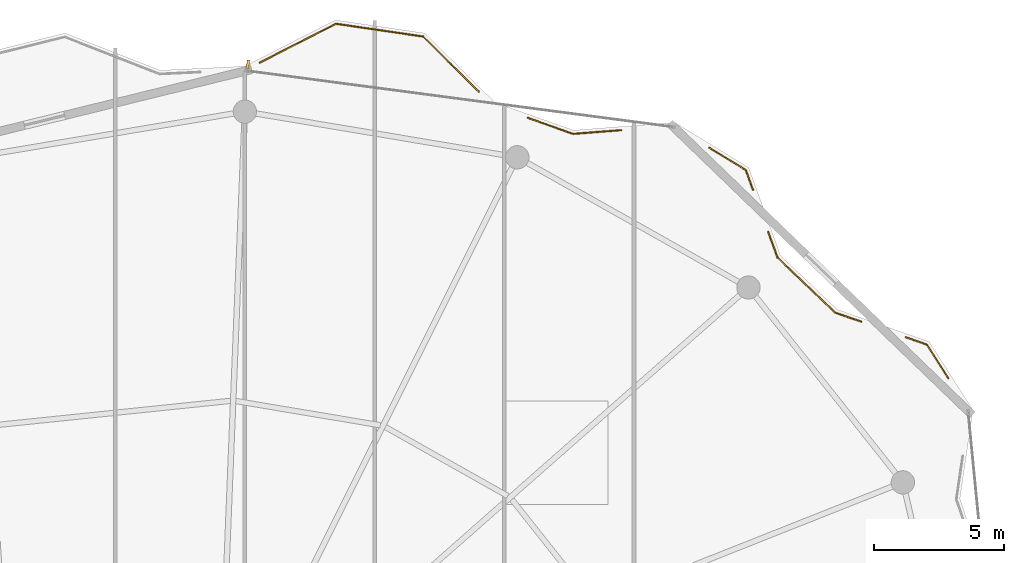
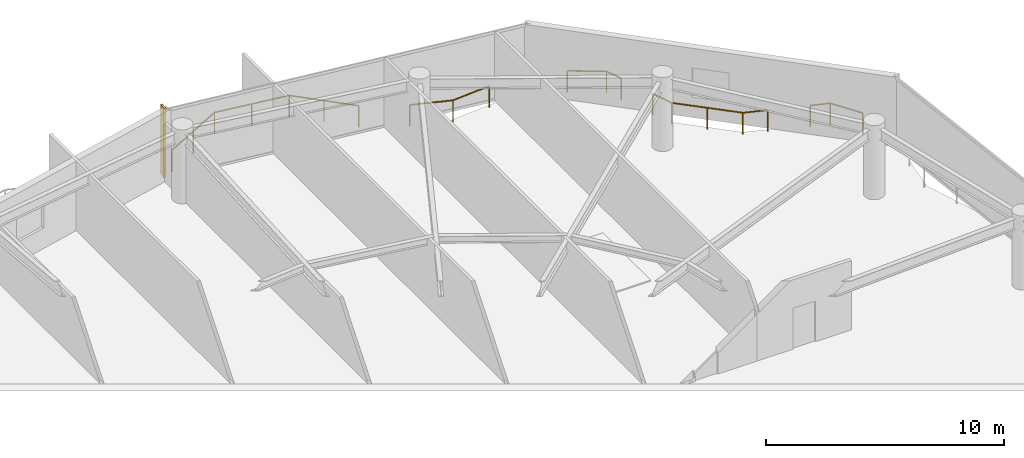
# One storey, part 30 of 30: 5 railings, 1 shading device.
"""IFC4 building model written with IfcOpenShell, lengths in metres."""

from ifc_helpers import new_model, si_unit, direction, frame, origin, origin_2d, place, context, subcontext, project, spatial, rectangle, extrude, material, type_object, element, save


model = new_model("IFC4")

# Units and contexts
model_context = context("Model", 3, precision=1e-05, world=origin(), true_north=direction((0.0, 1.0)))
body_context = subcontext(model_context, "Body", "Model", "MODEL_VIEW")
ifc_project = project(units=[si_unit("LENGTHUNIT", "METRE"), si_unit("AREAUNIT", "SQUARE_METRE"), si_unit("VOLUMEUNIT", "CUBIC_METRE"), si_unit("PLANEANGLEUNIT", "RADIAN"), si_unit("MASSUNIT", "GRAM", prefix="KILO")], contexts=[model_context])

# Site, building, storey
site_placement = place(None, origin())
site = spatial("IfcSite", under=ifc_project, at=site_placement, CompositionType="ELEMENT")
building_placement = place(site_placement, origin())
building = spatial("IfcBuilding", under=site, at=building_placement, Name="Kazevale Care Tower and Concert Hall", CompositionType="ELEMENT")
storey_placement = place(building_placement, frame((0.0, 0.0, 258.60009765625)))
storey = spatial("IfcBuildingStorey", under=building, at=storey_placement, Name="L68", CompositionType="ELEMENT", Elevation=258.60009765625)

# Railings
ifc_material_1 = material(Name="Anodised Bronze Aluminium and Laminated Glass", Category="aluminium")
railing_type = type_object("IfcRailingType", Name="Balcony and Terrace Balustrade 1120", PredefinedType="BALUSTRADE", material=ifc_material_1)
railing_1_placement = place(storey_placement, frame((45.573974609375, 63.035888671875, 0.0)))
element("IfcRailing", 1, at=railing_1_placement, inside=storey, type_object=railing_type, Name="rail:L68:perim:6", PredefinedType="BALUSTRADE", context=body_context, shape_type="SweptSolid", body=[
    extrude(rectangle(XDim=0.048095703125, YDim=0.048095703125, at=origin_2d()), frame((0.0, 0.0, 1.09619140625), z_axis=(0.890635876705, 0.454717203463, 0.0), x_axis=(-0.454717203463, 0.890635876705, 0.0)), (0.0, 0.0, 1.0), 3.298828125),
    extrude(rectangle(XDim=0.048095703125, YDim=0.048095703125, at=origin_2d()), frame((2.93798828125, 1.5, 1.09619140625), z_axis=(0.989455274638, -0.144838736155, 0.0), x_axis=(0.144838736155, 0.989455274638, 0.0)), (0.0, 0.0, 1.0), 3.3896484375),
    extrude(rectangle(XDim=0.048095703125, YDim=0.048095703125, at=origin_2d()), frame((6.2919921875, 1.009033203125, 1.09619140625), z_axis=(0.712259123312, -0.701916619876, 0.0), x_axis=(0.701916619876, 0.712259123312, 0.0)), (0.0, 0.0, 1.0), 3.021484375),
    extrude(rectangle(XDim=0.0419921875, YDim=0.0419921875, at=origin_2d()), origin(), (0.0, 0.0, 1.0), 1.072021484375),
    extrude(rectangle(XDim=0.0419921875, YDim=0.0419921875, at=origin_2d()), frame((1.468994140625, 0.75, 0.0)), (0.0, 0.0, 1.0), 1.072021484375),
    extrude(rectangle(XDim=0.0419921875, YDim=0.0419921875, at=origin_2d()), frame((2.93798828125, 1.5, 0.0)), (0.0, 0.0, 1.0), 1.072021484375),
    extrude(rectangle(XDim=0.0419921875, YDim=0.0419921875, at=origin_2d()), frame((4.614990234375, 1.25439453125, 0.0)), (0.0, 0.0, 1.0), 1.072021484375),
    extrude(rectangle(XDim=0.0419921875, YDim=0.0419921875, at=origin_2d()), frame((6.2919921875, 1.009033203125, 0.0)), (0.0, 0.0, 1.0), 1.072021484375),
    extrude(rectangle(XDim=0.0419921875, YDim=0.0419921875, at=origin_2d()), frame((7.3681640625, -0.05126953125, 0.0)), (0.0, 0.0, 1.0), 1.072021484375),
    extrude(rectangle(XDim=0.0419921875, YDim=0.0419921875, at=origin_2d()), frame((8.444091796875, -1.11181640625, 0.0)), (0.0, 0.0, 1.0), 1.072021484375),
])
railing_2_placement = place(storey_placement, frame((55.906982421875, 60.907958984375, 0.0)))
element("IfcRailing", 2, at=railing_2_placement, inside=storey, type_object=railing_type, Name="rail:L68:perim:7", PredefinedType="BALUSTRADE", context=body_context, shape_type="SweptSolid", body=[
    extrude(rectangle(XDim=0.048095703125, YDim=0.048095703125, at=origin_2d()), frame((0.0, 0.0, 1.09619140625), z_axis=(0.942909884702, -0.333047968515, 0.0), x_axis=(0.333047968515, 0.942909884702, 0.0)), (0.0, 0.0, 1.0), 1.849365234375),
    extrude(rectangle(XDim=0.048095703125, YDim=0.048095703125, at=origin_2d()), frame((1.743896484375, -0.615966796875, 1.09619140625), z_axis=(0.997026572903, 0.077058503261, 0.0), x_axis=(-0.077058503261, 0.997026572903, 0.0)), (0.0, 0.0, 1.0), 1.856689453125),
    extrude(rectangle(XDim=0.0419921875, YDim=0.0419921875, at=origin_2d()), origin(), (0.0, 0.0, 1.0), 1.072021484375),
    extrude(rectangle(XDim=0.0419921875, YDim=0.0419921875, at=origin_2d()), frame((1.743896484375, -0.615966796875, 0.0)), (0.0, 0.0, 1.0), 1.072021484375),
    extrude(rectangle(XDim=0.0419921875, YDim=0.0419921875, at=origin_2d()), frame((3.594970703125, -0.472900390625, 0.0)), (0.0, 0.0, 1.0), 1.072021484375),
])
railing_3_placement = place(storey_placement, frame((62.89599609375, 59.760986328125, 0.0)))
element("IfcRailing", 3, at=railing_3_placement, inside=storey, type_object=railing_type, Name="rail:L68:perim:8", PredefinedType="BALUSTRADE", context=body_context, shape_type="SweptSolid", body=[
    extrude(rectangle(XDim=0.048095703125, YDim=0.048095703125, at=origin_2d()), frame((0.0, 0.0, 1.09619140625), z_axis=(0.853059174464, -0.521814186145, 0.0), x_axis=(0.521814186145, 0.853059174464, 0.0)), (0.0, 0.0, 1.0), 1.65380859375),
    extrude(rectangle(XDim=0.048095703125, YDim=0.048095703125, at=origin_2d()), frame((1.410888671875, -0.863037109375, 1.09619140625), z_axis=(0.3409951537, -0.940065053681, 0.0), x_axis=(0.940065053681, 0.3409951537, 0.0)), (0.0, 0.0, 1.0), 0.8125),
    extrude(rectangle(XDim=0.0419921875, YDim=0.0419921875, at=origin_2d()), origin(), (0.0, 0.0, 1.0), 1.072021484375),
    extrude(rectangle(XDim=0.0419921875, YDim=0.0419921875, at=origin_2d()), frame((1.410888671875, -0.863037109375, 0.0)), (0.0, 0.0, 1.0), 1.072021484375),
    extrude(rectangle(XDim=0.0419921875, YDim=0.0419921875, at=origin_2d()), frame((1.68798828125, -1.626953125, 0.0)), (0.0, 0.0, 1.0), 1.072021484375),
])
railing_4_placement = place(storey_placement, frame((65.1708984375, 56.511962890625, 0.0)))
element("IfcRailing", 4, at=railing_4_placement, inside=storey, type_object=railing_type, Name="rail:L68:perim:9", PredefinedType="BALUSTRADE", context=body_context, shape_type="SweptSolid", body=[
    extrude(rectangle(XDim=0.048095703125, YDim=0.048095703125, at=origin_2d()), frame((0.0, 0.0, 1.09619140625), z_axis=(0.34041263139, -0.940276151133, 0.0), x_axis=(0.940276151133, 0.34041263139, 0.0)), (0.0, 0.0, 1.0), 1.04638671875),
    extrude(rectangle(XDim=0.048095703125, YDim=0.048095703125, at=origin_2d()), frame((0.356201171875, -0.98388671875, 1.09619140625), z_axis=(0.723602138896, -0.690217316926, 0.0), x_axis=(0.690217316926, 0.723602138896, 0.0)), (0.0, 0.0, 1.0), 3.078857421875),
    extrude(rectangle(XDim=0.048095703125, YDim=0.048095703125, at=origin_2d()), frame((2.583984375, -3.10888671875, 1.09619140625), z_axis=(0.94396922384, -0.330033489881, 0.0), x_axis=(0.330033489881, 0.94396922384, 0.0)), (0.0, 0.0, 1.0), 1.063720703125),
    extrude(rectangle(XDim=0.0419921875, YDim=0.0419921875, at=origin_2d()), origin(), (0.0, 0.0, 1.0), 1.072021484375),
    extrude(rectangle(XDim=0.0419921875, YDim=0.0419921875, at=origin_2d()), frame((0.356201171875, -0.98388671875, 0.0)), (0.0, 0.0, 1.0), 1.072021484375),
    extrude(rectangle(XDim=0.0419921875, YDim=0.0419921875, at=origin_2d()), frame((1.47021484375, -2.04638671875, 0.0)), (0.0, 0.0, 1.0), 1.072021484375),
    extrude(rectangle(XDim=0.0419921875, YDim=0.0419921875, at=origin_2d()), frame((2.583984375, -3.10888671875, 0.0)), (0.0, 0.0, 1.0), 1.072021484375),
    extrude(rectangle(XDim=0.0419921875, YDim=0.0419921875, at=origin_2d()), frame((3.588134765625, -3.4599609375, 0.0)), (0.0, 0.0, 1.0), 1.072021484375),
])
railing_5_placement = place(storey_placement, frame((70.47705078125, 52.450927734375, 0.0)))
element("IfcRailing", 5, at=railing_5_placement, inside=storey, type_object=railing_type, Name="rail:L68:perim:11", PredefinedType="BALUSTRADE", context=body_context, shape_type="SweptSolid", body=[
    extrude(rectangle(XDim=0.048095703125, YDim=0.048095703125, at=origin_2d()), frame((0.0, 0.0, 1.09619140625), z_axis=(0.944014108482, -0.329905081784, 0.0), x_axis=(0.329905081784, 0.944014108482, 0.0)), (0.0, 0.0, 1.0), 0.854736328125),
    extrude(rectangle(XDim=0.048095703125, YDim=0.048095703125, at=origin_2d()), frame((0.806884765625, -0.281982421875, 1.09619140625), z_axis=(0.539502311999, -0.841984118228, 0.0), x_axis=(0.841984118228, 0.539502311999, 0.0)), (0.0, 0.0, 1.0), 1.5439453125),
    extrude(rectangle(XDim=0.0419921875, YDim=0.0419921875, at=origin_2d()), origin(), (0.0, 0.0, 1.0), 1.072021484375),
    extrude(rectangle(XDim=0.0419921875, YDim=0.0419921875, at=origin_2d()), frame((0.806884765625, -0.281982421875, 0.0)), (0.0, 0.0, 1.0), 1.072021484375),
    extrude(rectangle(XDim=0.0419921875, YDim=0.0419921875, at=origin_2d()), frame((1.639892578125, -1.58203125, 0.0)), (0.0, 0.0, 1.0), 1.072021484375),
])

# Shading device
ifc_material_2 = material(Name="Anodised Bronze Aluminium", Category="aluminium")
shading_device_type = type_object("IfcShadingDeviceType", Name="Waist Anodised Bronze-Stone Fin FIN-02", PredefinedType="USERDEFINED", material=ifc_material_2)
shading_device_placement = place(storey_placement, frame((45.1201171875, 62.970703125, -0.000244140625), z_axis=(0.0, 0.0, 1.0), x_axis=(0.13052619222, 0.991444861374, 0.0)))
element("IfcShadingDevice", 6, at=shading_device_placement, inside=storey, type_object=shading_device_type, Name="cw:L68:f16:fin", ObjectType="FIN", PredefinedType="USERDEFINED", context=body_context, shape_type="SweptSolid", body=[
    extrude(rectangle(XDim=0.340087890625, YDim=0.10009765625, at=origin_2d()), origin(), (0.0, 0.0, 1.0), 3.56005859375),
])

save(model, "model.ifc")
